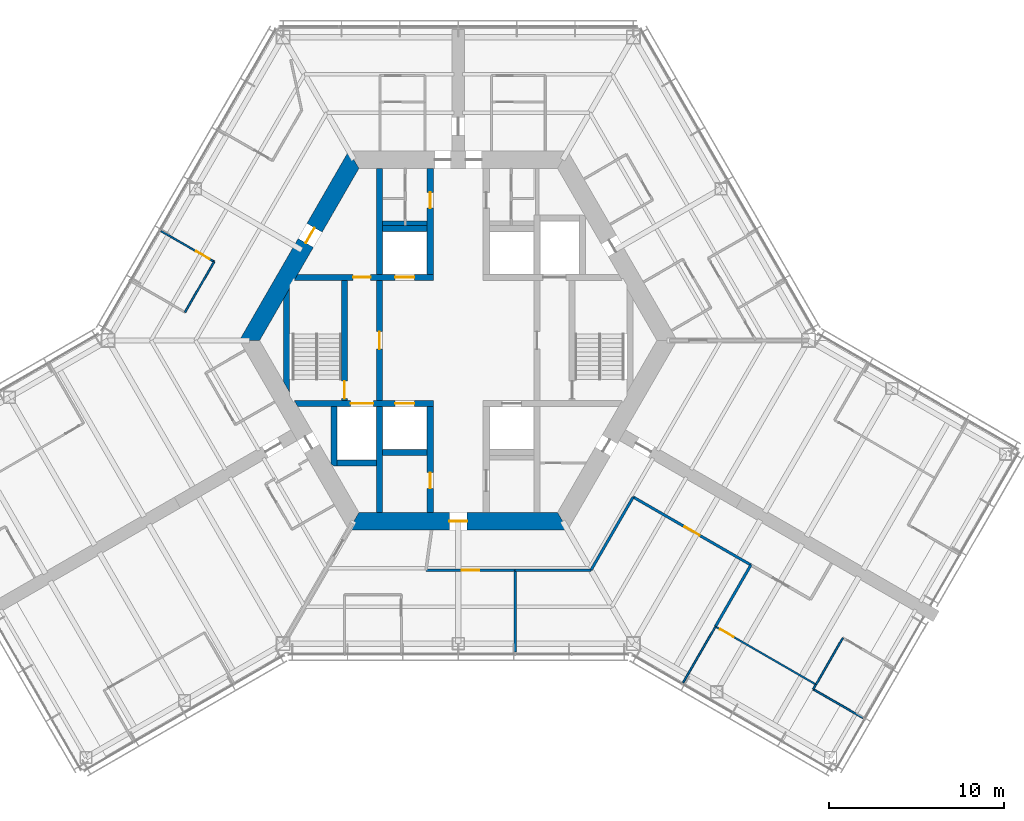
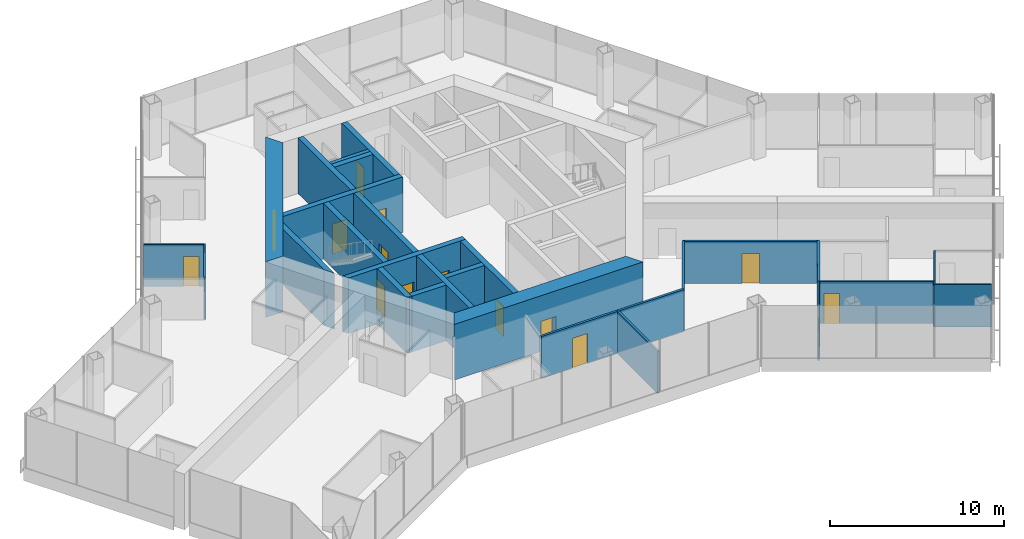
# One storey, part 12 of 18: 29 walls, 14 doors, 14 openings.
"""IFC4 building model written with IfcOpenShell, lengths in metres."""

from ifc_helpers import new_model, si_unit, direction, frame, frame_2d, origin, place, context, subcontext, project, spatial, polyline, rectangle, outline, extrude, material, layer, layer_set, type_object, element, fill, save


model = new_model("IFC4")

# Units and contexts
model_context = context("Model", 3, precision=1e-05, world=origin(), true_north=direction((0.0, 1.0)))
body_context = subcontext(model_context, "Body", "Model", "MODEL_VIEW")
ifc_project = project(units=[si_unit("LENGTHUNIT", "METRE"), si_unit("AREAUNIT", "SQUARE_METRE"), si_unit("VOLUMEUNIT", "CUBIC_METRE"), si_unit("PLANEANGLEUNIT", "RADIAN"), si_unit("MASSUNIT", "GRAM", prefix="KILO")], contexts=[model_context])

# Site, building, storey
site_placement = place(None, origin())
site = spatial("IfcSite", under=ifc_project, at=site_placement, CompositionType="ELEMENT")
building_placement = place(site_placement, origin())
building = spatial("IfcBuilding", under=site, at=building_placement, Name="Kasaneha Research Tower", CompositionType="ELEMENT")
storey_placement = place(building_placement, frame((0.0, 0.0, 172.10009765625)))
storey = spatial("IfcBuildingStorey", under=building, at=storey_placement, Name="L43", CompositionType="ELEMENT", Elevation=172.10009765625)

# Wall, openings, doors
ifc_material_1 = material(Name="Concrete Fc70", Category="concrete")
ifc_layer_1 = layer(ifc_material_1, 0.35009765625)
ifc_layer_set_1 = layer_set([ifc_layer_1], Name="Core internal wall 350 Fc70")
wall_type_1 = type_object("IfcWallType", Name="Core internal wall 350 Fc70", PredefinedType="SHEAR", material=ifc_layer_set_1)
wall_1_placement = place(storey_placement, frame((-9.266357421875, 3.60009765625, 0.0), z_axis=(0.0, 0.0, 1.0), x_axis=(1.0, 0.0, 0.0)))
wall_1 = element("IfcWall", 1, at=wall_1_placement, inside=storey, type_object=wall_type_1, Name="Core wall W1W L43", PredefinedType="SHEAR", context=body_context, shape_type="SweptSolid", body=[
    extrude(outline(polyline([(-0.10107421875, -0.175048828125), (3.266357421875, -0.175048828125), (4.266357421875, -0.175048828125), (5.66650390625, -0.175048828125), (6.7666015625, -0.175048828125), (7.84130859375, -0.175048828125), (7.84130859375, 0.175048828125), (6.7666015625, 0.175048828125), (5.66650390625, 0.175048828125), (4.266357421875, 0.175048828125), (3.266357421875, 0.175048828125), (0.10107421875, 0.175048828125), (-0.10107421875, -0.175048828125)])), origin(), (0.0, 0.0, 1.0), 3.89990234375),
])
opening_1_placement = place(wall_1_placement, frame((3.266357421875, 0.0, 0.0)))
opening_1 = element("IfcOpeningElement", 2, at=opening_1_placement, cuts=wall_1, Name="Opening L43-D12", PredefinedType="OPENING", context=body_context, shape_type="SweptSolid", body=[
    extrude(rectangle(XDim=1.0, YDim=2.10009765625, at=frame_2d((0.5, 1.050048828125))), frame((0.0, 0.18505859375, 0.0), z_axis=(0.0, -1.0, 0.0), x_axis=(1.0, 0.0, 0.0)), (0.0, 0.0, 1.0), 0.3701171875),
])
opening_2_placement = place(wall_1_placement, frame((5.66650390625, 0.0, 0.0)))
opening_2 = element("IfcOpeningElement", 3, at=opening_2_placement, cuts=wall_1, Name="Opening LD-LM1-L43", PredefinedType="OPENING", context=body_context, shape_type="SweptSolid", body=[
    extrude(rectangle(XDim=1.10009765625, YDim=2.10009765625, at=frame_2d((0.550048828125, 1.050048828125))), frame((0.0, 0.18505859375, 0.0), z_axis=(0.0, -1.0, 0.0), x_axis=(1.0, 0.0, 0.0)), (0.0, 0.0, 1.0), 0.3701171875),
])
ifc_material_2 = material(Name="Steel", Category="steel")
door_type_1 = type_object("IfcDoorType", Name="Lift landing door 1100x2100", OperationType="DOUBLE_DOOR_SLIDING", PredefinedType="DOOR", material=ifc_material_2)
door_1_placement = place(opening_2_placement, origin())
door_1 = element("IfcDoor", 4, at=door_1_placement, inside=storey, type_object=door_type_1, Name="Landing door LM1 LD-LM1-L43", OperationType="DOUBLE_DOOR_SLIDING", OverallHeight=2.10009765625, OverallWidth=1.10009765625, PredefinedType="DOOR", context=body_context, shape_type="SweptSolid", body=[
    extrude(rectangle(XDim=1.10009765625, YDim=2.10009765625, at=frame_2d((0.550048828125, 1.050048828125))), frame((0.0, 0.02490234375, 0.0), z_axis=(0.0, -1.0, 0.0), x_axis=(1.0, 0.0, 0.0)), (0.0, 0.0, 1.0), 0.050048828125),
])
fill(opening_2, door_1)
ifc_material_3 = material(Name="Steel", Category="steel")
door_type_2 = type_object("IfcDoorType", Name="Specified fire door FD60 1000x2100", OperationType="NOTDEFINED", PredefinedType="DOOR", material=ifc_material_3)
door_2_placement = place(opening_1_placement, origin())
door_2 = element("IfcDoor", 5, at=door_2_placement, inside=storey, type_object=door_type_2, Name="Vestibule to lobby door L43-D12", OperationType="SINGLE_SWING_LEFT", OverallHeight=2.10009765625, OverallWidth=1.0, PredefinedType="DOOR", context=body_context, shape_type="SweptSolid", body=[
    extrude(rectangle(XDim=1.0, YDim=2.10009765625, at=frame_2d((0.5, 1.050048828125))), frame((0.0, 0.02490234375, 0.0), z_axis=(0.0, -1.0, 0.0), x_axis=(1.0, 0.0, 0.0)), (0.0, 0.0, 1.0), 0.050048828125),
])
fill(opening_1, door_2)

wall_2_placement = place(storey_placement, frame((-9.266357421875, -3.60009765625, 0.0), z_axis=(0.0, 0.0, 1.0), x_axis=(1.0, 0.0, 0.0)))
wall_2 = element("IfcWall", 6, at=wall_2_placement, inside=storey, type_object=wall_type_1, Name="Core wall W2W L43", PredefinedType="SHEAR", context=body_context, shape_type="SweptSolid", body=[
    extrude(outline(polyline([(0.10107421875, -0.175048828125), (3.116455078125, -0.175048828125), (4.41650390625, -0.175048828125), (5.66650390625, -0.175048828125), (6.7666015625, -0.175048828125), (7.84130859375, -0.175048828125), (7.84130859375, 0.175048828125), (6.7666015625, 0.175048828125), (5.66650390625, 0.175048828125), (4.41650390625, 0.175048828125), (3.116455078125, 0.175048828125), (-0.10107421875, 0.175048828125), (0.10107421875, -0.175048828125)])), origin(), (0.0, 0.0, 1.0), 3.89990234375),
])
opening_3_placement = place(wall_2_placement, frame((5.66650390625, 0.0, 0.0)))
opening_3 = element("IfcOpeningElement", 7, at=opening_3_placement, cuts=wall_2, Name="Opening LD-LM3-L43", PredefinedType="OPENING", context=body_context, shape_type="SweptSolid", body=[
    extrude(rectangle(XDim=1.10009765625, YDim=2.10009765625, at=frame_2d((0.550048828125, 1.050048828125))), frame((0.0, 0.18505859375, 0.0), z_axis=(0.0, -1.0, 0.0), x_axis=(1.0, 0.0, 0.0)), (0.0, 0.0, 1.0), 0.3701171875),
])
opening_4_placement = place(wall_2_placement, frame((3.116455078125, 0.0, 0.0)))
opening_4 = element("IfcOpeningElement", 8, at=opening_4_placement, cuts=wall_2, Name="Opening LD-FL2-L43", PredefinedType="OPENING", context=body_context, shape_type="SweptSolid", body=[
    extrude(rectangle(XDim=1.300048828125, YDim=2.10009765625, at=frame_2d((0.64990234375, 1.050048828125))), frame((0.0, 0.18505859375, 0.0), z_axis=(0.0, -1.0, 0.0), x_axis=(1.0, 0.0, 0.0)), (0.0, 0.0, 1.0), 0.3701171875),
])
door_3_placement = place(opening_3_placement, origin())
door_3 = element("IfcDoor", 9, at=door_3_placement, inside=storey, type_object=door_type_1, Name="Landing door LM3 LD-LM3-L43", OperationType="DOUBLE_DOOR_SLIDING", OverallHeight=2.10009765625, OverallWidth=1.10009765625, PredefinedType="DOOR", context=body_context, shape_type="SweptSolid", body=[
    extrude(rectangle(XDim=1.10009765625, YDim=2.10009765625, at=frame_2d((0.550048828125, 1.050048828125))), frame((0.0, 0.02490234375, 0.0), z_axis=(0.0, -1.0, 0.0), x_axis=(1.0, 0.0, 0.0)), (0.0, 0.0, 1.0), 0.050048828125),
])
fill(opening_3, door_3)
ifc_material_4 = material(Name="Steel", Category="steel")
door_type_3 = type_object("IfcDoorType", Name="Lift landing door 1300x2100", OperationType="DOUBLE_DOOR_SLIDING", PredefinedType="DOOR", material=ifc_material_4)
door_4_placement = place(opening_4_placement, origin())
door_4 = element("IfcDoor", 10, at=door_4_placement, inside=storey, type_object=door_type_3, Name="Landing door FL2 LD-FL2-L43", OperationType="DOUBLE_DOOR_SLIDING", OverallHeight=2.10009765625, OverallWidth=1.300048828125, PredefinedType="DOOR", context=body_context, shape_type="SweptSolid", body=[
    extrude(rectangle(XDim=1.300048828125, YDim=2.10009765625, at=frame_2d((0.64990234375, 1.050048828125))), frame((0.0, 0.02490234375, 0.0), z_axis=(0.0, -1.0, 0.0), x_axis=(1.0, 0.0, 0.0)), (0.0, 0.0, 1.0), 0.050048828125),
])
fill(opening_4, door_4)

# Wall, opening, door
wall_3_placement = place(storey_placement, frame((-1.60009765625, 3.77490234375, 0.0), z_axis=(0.0, 0.0, 1.0), x_axis=(0.0, 1.0, 0.0)))
wall_3 = element("IfcWall", 11, at=wall_3_placement, inside=storey, type_object=wall_type_1, Name="Core wall CNW L43", PredefinedType="SHEAR", context=body_context, shape_type="SweptSolid", body=[
    extrude(rectangle(XDim=6.050048828125, YDim=0.35009765625, at=frame_2d((3.02490234375, 0.0))), origin(), (0.0, 0.0, 1.0), 3.89990234375),
])
opening_5_placement = place(wall_3_placement, frame((3.77490234375, 0.0, 0.0)))
opening_5 = element("IfcOpeningElement", 12, at=opening_5_placement, cuts=wall_3, Name="Opening L43-D13", PredefinedType="OPENING", context=body_context, shape_type="SweptSolid", body=[
    extrude(rectangle(XDim=0.89990234375, YDim=2.10009765625, at=frame_2d((0.449951171875, 1.050048828125))), frame((0.0, 0.18505859375, 0.0), z_axis=(0.0, -1.0, 0.0), x_axis=(1.0, 0.0, 0.0)), (0.0, 0.0, 1.0), 0.3701171875),
])
ifc_material_5 = material(Name="Steel", Category="steel")
door_type_4 = type_object("IfcDoorType", Name="Toilet door FD20 900x2100", OperationType="NOTDEFINED", PredefinedType="DOOR", material=ifc_material_5)
door_5_placement = place(opening_5_placement, origin())
door_5 = element("IfcDoor", 13, at=door_5_placement, inside=storey, type_object=door_type_4, Name="Men's WC door L43-D13", OperationType="SINGLE_SWING_LEFT", OverallHeight=2.10009765625, OverallWidth=0.89990234375, PredefinedType="DOOR", context=body_context, shape_type="SweptSolid", body=[
    extrude(rectangle(XDim=0.89990234375, YDim=2.10009765625, at=frame_2d((0.449951171875, 1.050048828125))), frame((0.0, 0.02490234375, 0.0), z_axis=(0.0, -1.0, 0.0), x_axis=(1.0, 0.0, 0.0)), (0.0, 0.0, 1.0), 0.050048828125),
])
fill(opening_5, door_5)

wall_4_placement = place(storey_placement, frame((-1.60009765625, -3.77490234375, 0.0), z_axis=(0.0, 0.0, 1.0), x_axis=(0.0, -1.0, 0.0)))
wall_4 = element("IfcWall", 14, at=wall_4_placement, inside=storey, type_object=wall_type_1, Name="Core wall CSW L43", PredefinedType="SHEAR", context=body_context, shape_type="SweptSolid", body=[
    extrude(rectangle(XDim=6.050048828125, YDim=0.35009765625, at=frame_2d((3.02490234375, 0.0))), origin(), (0.0, 0.0, 1.0), 3.89990234375),
])
opening_6_placement = place(wall_4_placement, frame((3.77490234375, 0.0, 0.0)))
opening_6 = element("IfcOpeningElement", 15, at=opening_6_placement, cuts=wall_4, Name="Opening L43-D16", PredefinedType="OPENING", context=body_context, shape_type="SweptSolid", body=[
    extrude(rectangle(XDim=0.89990234375, YDim=2.10009765625, at=frame_2d((0.449951171875, 1.050048828125))), frame((0.0, 0.18505859375, 0.0), z_axis=(0.0, -1.0, 0.0), x_axis=(1.0, 0.0, 0.0)), (0.0, 0.0, 1.0), 0.3701171875),
])
ifc_material_6 = material(Name="Steel", Category="steel")
door_type_5 = type_object("IfcDoorType", Name="Riser access door FD60 900x2100", OperationType="NOTDEFINED", PredefinedType="DOOR", material=ifc_material_6)
door_6_placement = place(opening_6_placement, origin())
door_6 = element("IfcDoor", 16, at=door_6_placement, inside=storey, type_object=door_type_5, Name="Electrical riser door L43-D16", OperationType="SINGLE_SWING_LEFT", OverallHeight=2.10009765625, OverallWidth=0.89990234375, PredefinedType="DOOR", context=body_context, shape_type="SweptSolid", body=[
    extrude(rectangle(XDim=0.89990234375, YDim=2.10009765625, at=frame_2d((0.449951171875, 1.050048828125))), frame((0.0, 0.02490234375, 0.0), z_axis=(0.0, -1.0, 0.0), x_axis=(1.0, 0.0, 0.0)), (0.0, 0.0, 1.0), 0.050048828125),
])
fill(opening_6, door_6)

wall_5_placement = place(storey_placement, frame((-4.5, -3.425048828125, 0.0), z_axis=(0.0, 0.0, 1.0), x_axis=(0.0, 1.0, 0.0)))
wall_5 = element("IfcWall", 17, at=wall_5_placement, inside=storey, type_object=wall_type_1, Name="Core wall LBW L43", PredefinedType="SHEAR", context=body_context, shape_type="SweptSolid", body=[
    extrude(rectangle(XDim=6.85009765625, YDim=0.35009765625, at=frame_2d((3.425048828125, 0.0))), origin(), (0.0, 0.0, 1.0), 3.89990234375),
])
opening_7_placement = place(wall_5_placement, frame((2.925048828125, 0.0, 0.0)))
opening_7 = element("IfcOpeningElement", 18, at=opening_7_placement, cuts=wall_5, Name="Opening L43-D09", PredefinedType="OPENING", context=body_context, shape_type="SweptSolid", body=[
    extrude(rectangle(XDim=1.0, YDim=2.10009765625, at=frame_2d((0.5, 1.050048828125))), frame((0.0, 0.18505859375, 0.0), z_axis=(0.0, -1.0, 0.0), x_axis=(1.0, 0.0, 0.0)), (0.0, 0.0, 1.0), 0.3701171875),
])
door_7_placement = place(opening_7_placement, origin())
door_7 = element("IfcDoor", 19, at=door_7_placement, inside=storey, type_object=door_type_2, Name="Lift lobby door west L43-D09", OperationType="SINGLE_SWING_LEFT", OverallHeight=2.10009765625, OverallWidth=1.0, PredefinedType="DOOR", context=body_context, shape_type="SweptSolid", body=[
    extrude(rectangle(XDim=1.0, YDim=2.10009765625, at=frame_2d((0.5, 1.050048828125))), frame((0.0, 0.02490234375, 0.0), z_axis=(0.0, -1.0, 0.0), x_axis=(1.0, 0.0, 0.0)), (0.0, 0.0, 1.0), 0.050048828125),
])
fill(opening_7, door_7)

wall_6_placement = place(storey_placement, frame((-6.5, -3.425048828125, 0.0), z_axis=(0.0, 0.0, 1.0), x_axis=(0.0, 1.0, 0.0)))
wall_6 = element("IfcWall", 20, at=wall_6_placement, inside=storey, type_object=wall_type_1, Name="Core wall ANW L43", PredefinedType="SHEAR", context=body_context, shape_type="SweptSolid", body=[
    extrude(rectangle(XDim=6.85009765625, YDim=0.35009765625, at=frame_2d((3.425048828125, 0.0))), origin(), (0.0, 0.0, 1.0), 3.89990234375),
])
opening_8_placement = place(wall_6_placement, frame((0.10009765625, 0.0, 0.0)))
opening_8 = element("IfcOpeningElement", 21, at=opening_8_placement, cuts=wall_6, Name="Opening L43-D11", PredefinedType="OPENING", context=body_context, shape_type="SweptSolid", body=[
    extrude(rectangle(XDim=1.0, YDim=2.10009765625, at=frame_2d((0.5, 1.050048828125))), frame((0.0, 0.18505859375, 0.0), z_axis=(0.0, -1.0, 0.0), x_axis=(1.0, 0.0, 0.0)), (0.0, 0.0, 1.0), 0.3701171875),
])
door_8_placement = place(opening_8_placement, origin())
door_8 = element("IfcDoor", 22, at=door_8_placement, inside=storey, type_object=door_type_2, Name="Stair 2 door L43-D11", OperationType="SINGLE_SWING_LEFT", OverallHeight=2.10009765625, OverallWidth=1.0, PredefinedType="DOOR", context=body_context, shape_type="SweptSolid", body=[
    extrude(rectangle(XDim=1.0, YDim=2.10009765625, at=frame_2d((0.5, 1.050048828125))), frame((0.0, 0.02490234375, 0.0), z_axis=(0.0, -1.0, 0.0), x_axis=(1.0, 0.0, 0.0)), (0.0, 0.0, 1.0), 0.050048828125),
])
fill(opening_8, door_8)

# Walls
for number, where, z_axis, x_axis, name in (
    (23, (-4.5, 3.77490234375, 0.0), (0.0, 0.0, 1.0), (0.0, 1.0, 0.0), "Core wall VNW L43"),
    (24, (-4.5, -3.77490234375, 0.0), (0.0, 0.0, 1.0), (0.0, -1.0, 0.0), "Core wall SSW L43"),
):
    element("IfcWall", number, at=place(storey_placement, frame(where, z_axis=z_axis, x_axis=x_axis)), inside=storey, type_object=wall_type_1, Name=name, PredefinedType="SHEAR", context=body_context, shape_type="SweptSolid", body=[
        extrude(rectangle(XDim=6.050048828125, YDim=0.35009765625, at=frame_2d((3.02490234375, 0.0))), origin(), (0.0, 0.0, 1.0), 3.89990234375),
    ])
for number, where, z_axis, x_axis, name in (
    (25, (-4.324951171875, 6.39990234375, 0.0), (0.0, 0.0, 1.0), (1.0, 0.0, 0.0), "Core wall N1N L43"),
    (26, (-4.324951171875, -6.39990234375, 0.0), (0.0, 0.0, 1.0), (1.0, 0.0, 0.0), "Core wall S1S L43"),
):
    element("IfcWall", number, at=place(storey_placement, frame(where, z_axis=z_axis, x_axis=x_axis)), inside=storey, type_object=wall_type_1, Name=name, PredefinedType="SHEAR", context=body_context, shape_type="SweptSolid", body=[
        extrude(rectangle(XDim=2.550048828125, YDim=0.35009765625, at=frame_2d((1.27490234375, 0.0))), origin(), (0.0, 0.0, 1.0), 3.89990234375),
    ])
wall_7_placement = place(storey_placement, frame((-6.925048828125, -7.0, 0.0), z_axis=(0.0, 0.0, 1.0), x_axis=(1.0, 0.0, 0.0)))
element("IfcWall", 27, at=wall_7_placement, inside=storey, type_object=wall_type_1, Name="Core wall F2S L43", PredefinedType="SHEAR", context=body_context, shape_type="SweptSolid", body=[
    extrude(rectangle(XDim=2.25, YDim=0.35009765625, at=frame_2d((1.125, 0.0))), origin(), (0.0, 0.0, 1.0), 3.89990234375),
])
wall_8_placement = place(storey_placement, frame((-7.10009765625, -3.77490234375, 0.0), z_axis=(0.0, 0.0, 1.0), x_axis=(0.0, -1.0, 0.0)))
element("IfcWall", 28, at=wall_8_placement, inside=storey, type_object=wall_type_1, Name="Core wall F2W L43", PredefinedType="SHEAR", context=body_context, shape_type="SweptSolid", body=[
    extrude(outline(polyline([(0.0, -0.175048828125), (3.2744140625, -0.175048828125), (3.400146484375, 0.0), (3.400146484375, 0.175048828125), (0.0, 0.175048828125), (0.0, -0.175048828125)])), origin(), (0.0, 0.0, 1.0), 3.89990234375),
])
wall_9_placement = place(storey_placement, frame((-9.807861328125, -2.662353515625, 0.0), z_axis=(0.0, 0.0, 1.0), x_axis=(0.0, 1.0, 0.0)))
element("IfcWall", 29, at=wall_9_placement, inside=storey, type_object=wall_type_1, Name="Core wall STW L43", PredefinedType="SHEAR", context=body_context, shape_type="SweptSolid", body=[
    extrude(outline(polyline([(-0.30322265625, -0.175048828125), (5.6279296875, -0.175048828125), (5.021484375, 0.175048828125), (0.30322265625, 0.175048828125), (-0.30322265625, -0.175048828125)])), origin(), (0.0, 0.0, 1.0), 3.89990234375),
])

# Wall, opening, door
ifc_material_7 = material(Name="Concrete Fc70", Category="concrete")
ifc_layer_2 = layer(ifc_material_7, 1.0)
ifc_layer_set_2 = layer_set([ifc_layer_2], Name="Core wall 1000 Fc70")
wall_type_2 = type_object("IfcWallType", Name="Core wall 1000 Fc70", PredefinedType="SHEAR", material=ifc_layer_set_2)
wall_10_placement = place(storey_placement, frame((-5.961181640625, 10.324951171875, 0.0), z_axis=(0.0, 0.0, 1.0), x_axis=(-0.500004296715, -0.866022923061, 0.0)))
wall_10 = element("IfcWall", 30, at=wall_10_placement, inside=storey, type_object=wall_type_2, Name="Core wall 150 L43", PredefinedType="SHEAR", context=body_context, shape_type="SweptSolid", body=[
    extrude(outline(polyline([(-0.28857421875, -0.5), (4.494140625, -0.5), (5.494140625, -0.5), (12.2109375, -0.5), (11.6337890625, 0.5), (5.494140625, 0.5), (4.494140625, 0.5), (0.28857421875, 0.5), (-0.28857421875, -0.5)])), origin(), (0.0, 0.0, 1.0), 3.89990234375),
])
opening_9_placement = place(wall_10_placement, frame((4.494140625, 0.0, 0.0)))
opening_9 = element("IfcOpeningElement", 31, at=opening_9_placement, cuts=wall_10, Name="Opening L43-D07", PredefinedType="OPENING", context=body_context, shape_type="SweptSolid", body=[
    extrude(rectangle(XDim=1.0, YDim=2.10009765625, at=frame_2d((0.5, 1.050048828125))), frame((0.0, 0.510009765625, 0.0), z_axis=(0.0, -1.0, 0.0), x_axis=(1.0, 0.0, 0.0)), (0.0, 0.0, 1.0), 1.02001953125),
])
ifc_material_8 = material(Name="Steel", Category="steel")
door_type_6 = type_object("IfcDoorType", Name="Fire door FD20 1000x2100", OperationType="NOTDEFINED", PredefinedType="DOOR", material=ifc_material_8)
door_9_placement = place(opening_9_placement, origin())
door_9 = element("IfcDoor", 32, at=door_9_placement, inside=storey, type_object=door_type_6, Name="Vestibule door L43-D07", OperationType="SINGLE_SWING_LEFT", OverallHeight=2.10009765625, OverallWidth=1.0, PredefinedType="DOOR", context=body_context, shape_type="SweptSolid", body=[
    extrude(rectangle(XDim=1.0, YDim=2.10009765625, at=frame_2d((0.5, 1.050048828125))), frame((0.0, 0.02490234375, 0.0), z_axis=(0.0, -1.0, 0.0), x_axis=(1.0, 0.0, 0.0)), (0.0, 0.0, 1.0), 0.050048828125),
])
fill(opening_9, door_9)

wall_11_placement = place(storey_placement, frame((-5.961181640625, -10.324951171875, 0.0), z_axis=(0.0, 0.0, 1.0), x_axis=(1.0, 0.0, 0.0)))
wall_11 = element("IfcWall", 33, at=wall_11_placement, inside=storey, type_object=wall_type_2, Name="Core wall 270 L43", PredefinedType="SHEAR", context=body_context, shape_type="SweptSolid", body=[
    extrude(outline(polyline([(-0.28857421875, -0.5), (5.461181640625, -0.5), (6.461181640625, -0.5), (12.2109375, -0.5), (11.6337890625, 0.5), (6.461181640625, 0.5), (5.461181640625, 0.5), (0.28857421875, 0.5), (-0.28857421875, -0.5)])), origin(), (0.0, 0.0, 1.0), 3.89990234375),
])
opening_10_placement = place(wall_11_placement, frame((5.461181640625, 0.0, 0.0)))
opening_10 = element("IfcOpeningElement", 34, at=opening_10_placement, cuts=wall_11, Name="Opening L43-D03", PredefinedType="OPENING", context=body_context, shape_type="SweptSolid", body=[
    extrude(rectangle(XDim=1.0, YDim=2.10009765625, at=frame_2d((0.5, 1.050048828125))), frame((0.0, 0.510009765625, 0.0), z_axis=(0.0, -1.0, 0.0), x_axis=(1.0, 0.0, 0.0)), (0.0, 0.0, 1.0), 1.02001953125),
])
door_10_placement = place(opening_10_placement, origin())
door_10 = element("IfcDoor", 35, at=door_10_placement, inside=storey, type_object=door_type_6, Name="Core door south L43-D03", OperationType="SINGLE_SWING_LEFT", OverallHeight=2.10009765625, OverallWidth=1.0, PredefinedType="DOOR", context=body_context, shape_type="SweptSolid", body=[
    extrude(rectangle(XDim=1.0, YDim=2.10009765625, at=frame_2d((0.5, 1.050048828125))), frame((0.0, 0.02490234375, 0.0), z_axis=(0.0, -1.0, 0.0), x_axis=(1.0, 0.0, 0.0)), (0.0, 0.0, 1.0), 0.050048828125),
])
fill(opening_10, door_10)

ifc_material_9 = material(Name="Gypsum board on steel studs, one layer each side", Category="steel")
ifc_layer_3 = layer(ifc_material_9, 0.10009765625)
ifc_layer_set_3 = layer_set([ifc_layer_3], Name="Office partition 100")
wall_type_3 = type_object("IfcWallType", Name="Office partition 100", PredefinedType="PARTITIONING", material=ifc_layer_set_3)
wall_12_placement = place(storey_placement, frame((-16.97607421875, 6.247802734375, 0.0), z_axis=(0.0, 0.0, 1.0), x_axis=(0.866001150353, -0.500042005822, 0.0)))
wall_12 = element("IfcWall", 36, at=wall_12_placement, inside=storey, type_object=wall_type_3, Name="Office partition FBN04 L43", PredefinedType="PARTITIONING", context=body_context, shape_type="SweptSolid", body=[
    extrude(rectangle(XDim=3.505126953125, YDim=0.10009765625, at=frame_2d((1.75244140625, 0.0))), origin(), (0.0, 0.0, 1.0), 2.949951171875),
])
opening_11_placement = place(wall_12_placement, frame((2.30517578125, 0.0, 0.0)))
opening_11 = element("IfcOpeningElement", 37, at=opening_11_placement, cuts=wall_12, Name="Opening L43-D36", PredefinedType="OPENING", context=body_context, shape_type="SweptSolid", body=[
    extrude(rectangle(XDim=0.89990234375, YDim=2.10009765625, at=frame_2d((0.449951171875, 1.050048828125))), frame((0.0, 0.06005859375, 0.0), z_axis=(0.0, -1.0, 0.0), x_axis=(1.0, 0.0, 0.0)), (0.0, 0.0, 1.0), 0.1201171875),
])
ifc_material_10 = material(Name="Timber veneer", Category="wood")
door_type_7 = type_object("IfcDoorType", Name="Office door 900x2100", OperationType="SINGLE_SWING_LEFT", PredefinedType="DOOR", material=ifc_material_10)
door_11_placement = place(opening_11_placement, origin())
door_11 = element("IfcDoor", 38, at=door_11_placement, inside=storey, type_object=door_type_7, Name="Manager's office door L43-D36", OperationType="SINGLE_SWING_RIGHT", OverallHeight=2.10009765625, OverallWidth=0.89990234375, PredefinedType="DOOR", context=body_context, shape_type="SweptSolid", body=[
    extrude(rectangle(XDim=0.89990234375, YDim=2.10009765625, at=frame_2d((0.449951171875, 1.050048828125))), frame((0.0, 0.02490234375, 0.0), z_axis=(0.0, -1.0, 0.0), x_axis=(1.0, 0.0, 0.0)), (0.0, 0.0, 1.0), 0.050048828125),
])
fill(opening_11, door_11)

# Walls
wall_13_placement = place(storey_placement, frame((-13.940673828125, 4.4951171875, 0.0), z_axis=(0.0, 0.0, 1.0), x_axis=(-0.500033344505, -0.86600615147, 0.0)))
element("IfcWall", 39, at=wall_13_placement, inside=storey, type_object=wall_type_3, Name="Office partition FBN06 L43", PredefinedType="PARTITIONING", context=body_context, shape_type="SweptSolid", body=[
    extrude(rectangle(XDim=3.330810546875, YDim=0.10009765625, at=frame_2d((1.66552734375, 0.0))), origin(), (0.0, 0.0, 1.0), 2.949951171875),
])
wall_14_placement = place(storey_placement, frame((20.275146484375, -19.923583984375, 0.0), z_axis=(0.0, 0.0, 1.0), x_axis=(0.86598972202, -0.500061797536, 0.0)))
element("IfcWall", 40, at=wall_14_placement, inside=storey, type_object=wall_type_3, Name="Office partition FCS08 L43", PredefinedType="PARTITIONING", context=body_context, shape_type="SweptSolid", body=[
    extrude(rectangle(XDim=3.27978515625, YDim=0.10009765625, at=frame_2d((1.639892578125, 0.0))), origin(), (0.0, 0.0, 1.0), 2.949951171875),
])
wall_15_placement = place(storey_placement, frame((20.4296875, -19.64599609375, 0.0), z_axis=(0.0, 0.0, 1.0), x_axis=(-0.486425680342, -0.873721956634, 0.0)))
element("IfcWall", 41, at=wall_15_placement, inside=storey, type_object=wall_type_3, Name="Office partition FCS09 L43", PredefinedType="PARTITIONING", context=body_context, shape_type="SweptSolid", body=[
    extrude(rectangle(XDim=0.317626953125, YDim=0.10009765625, at=frame_2d((0.15869140625, 0.0))), origin(), (0.0, 0.0, 1.0), 2.949951171875),
])
wall_16_placement = place(storey_placement, frame((12.839599609375, -19.543212890625, 0.0), z_axis=(0.0, 0.0, 1.0), x_axis=(0.50111938689, 0.865378160161, 0.0)))
element("IfcWall", 42, at=wall_16_placement, inside=storey, type_object=wall_type_3, Name="Office partition FCS10 L43", PredefinedType="PARTITIONING", context=body_context, shape_type="SweptSolid", body=[
    extrude(rectangle(XDim=3.705078125, YDim=0.10009765625, at=frame_2d((1.8525390625, 0.0))), origin(), (0.0, 0.0, 1.0), 2.949951171875),
])

# Wall, opening, door
wall_17_placement = place(storey_placement, frame((14.68994140625, -16.33837890625, 0.0), z_axis=(0.0, 0.0, 1.0), x_axis=(0.866056800938, -0.499945614591, 0.0)))
wall_17 = element("IfcWall", 43, at=wall_17_placement, inside=storey, type_object=wall_type_3, Name="Office partition FCS11 L43", PredefinedType="PARTITIONING", context=body_context, shape_type="SweptSolid", body=[
    extrude(rectangle(XDim=6.629150390625, YDim=0.10009765625, at=frame_2d((3.314453125, 0.0))), origin(), (0.0, 0.0, 1.0), 2.949951171875),
])
opening_12_placement = place(wall_17_placement, frame((0.300048828125, 0.0, 0.0)))
opening_12 = element("IfcOpeningElement", 44, at=opening_12_placement, cuts=wall_17, Name="Opening L43-D47", PredefinedType="OPENING", context=body_context, shape_type="SweptSolid", body=[
    extrude(rectangle(XDim=0.89990234375, YDim=2.10009765625, at=frame_2d((0.449951171875, 1.050048828125))), frame((0.0, 0.06005859375, 0.0), z_axis=(0.0, -1.0, 0.0), x_axis=(1.0, 0.0, 0.0)), (0.0, 0.0, 1.0), 0.1201171875),
])
door_12_placement = place(opening_12_placement, origin())
door_12 = element("IfcDoor", 45, at=door_12_placement, inside=storey, type_object=door_type_7, Name="Meeting room door L43-D47", OperationType="SINGLE_SWING_LEFT", OverallHeight=2.10009765625, OverallWidth=0.89990234375, PredefinedType="DOOR", context=body_context, shape_type="SweptSolid", body=[
    extrude(rectangle(XDim=0.89990234375, YDim=2.10009765625, at=frame_2d((0.449951171875, 1.050048828125))), frame((0.0, 0.02490234375, 0.0), z_axis=(0.0, -1.0, 0.0), x_axis=(1.0, 0.0, 0.0)), (0.0, 0.0, 1.0), 0.050048828125),
])
fill(opening_12, door_12)

# Walls
wall_18_placement = place(storey_placement, frame((20.431396484375, -19.652587890625, 0.0), z_axis=(0.0, 0.0, 1.0), x_axis=(0.500029867204, 0.86600815926, 0.0)))
element("IfcWall", 46, at=wall_18_placement, inside=storey, type_object=wall_type_3, Name="Office partition FCS15 L43", PredefinedType="PARTITIONING", context=body_context, shape_type="SweptSolid", body=[
    extrude(rectangle(XDim=3.070556640625, YDim=0.10009765625, at=frame_2d((1.53515625, 0.0))), origin(), (0.0, 0.0, 1.0), 2.949951171875),
])
ifc_material_11 = material(Name="Gypsum board on steel studs, two layers each side", Category="steel")
ifc_layer_4 = layer(ifc_material_11, 0.14990234375)
ifc_layer_set_4 = layer_set([ifc_layer_4], Name="Suite partition 150")
wall_type_4 = type_object("IfcWallType", Name="Suite partition 150", PredefinedType="PARTITIONING", material=ifc_layer_set_4)
wall_19_placement = place(storey_placement, frame((7.57763671875, -13.125, 0.0), z_axis=(0.0, 0.0, 1.0), x_axis=(-1.0, 0.0, 0.0)))
element("IfcWall", 47, at=wall_19_placement, inside=storey, type_object=wall_type_4, Name="Suite partition FCS01 L43", PredefinedType="PARTITIONING", context=body_context, shape_type="SweptSolid", body=[
    extrude(rectangle(XDim=4.336181640625, YDim=0.14990234375, at=frame_2d((2.16796875, 0.0))), origin(), (0.0, 0.0, 1.0), 2.949951171875),
])
wall_20_placement = place(storey_placement, frame((9.99169921875, -8.944091796875, 0.0), z_axis=(0.0, 0.0, 1.0), x_axis=(-0.500033248206, -0.866006207073, 0.0)))
element("IfcWall", 48, at=wall_20_placement, inside=storey, type_object=wall_type_4, Name="Suite partition FCS02 L43", PredefinedType="PARTITIONING", context=body_context, shape_type="SweptSolid", body=[
    extrude(rectangle(XDim=4.827880859375, YDim=0.14990234375, at=frame_2d((2.4140625, 0.0))), origin(), (0.0, 0.0, 1.0), 2.949951171875),
])

# Wall, opening, door
wall_21_placement = place(storey_placement, frame((16.721435546875, -12.82958984375, 0.0), z_axis=(0.0, 0.0, 1.0), x_axis=(-0.866020780657, 0.500008007406, 0.0)))
wall_21 = element("IfcWall", 49, at=wall_21_placement, inside=storey, type_object=wall_type_4, Name="Suite partition FCS03 L43", PredefinedType="PARTITIONING", context=body_context, shape_type="SweptSolid", body=[
    extrude(rectangle(XDim=7.770751953125, YDim=0.14990234375, at=frame_2d((3.88525390625, 0.0))), origin(), (0.0, 0.0, 1.0), 2.949951171875),
])
opening_13_placement = place(wall_21_placement, frame((3.385498046875, 0.0, 0.0)))
opening_13 = element("IfcOpeningElement", 50, at=opening_13_placement, cuts=wall_21, Name="Opening L43-D44", PredefinedType="OPENING", context=body_context, shape_type="SweptSolid", body=[
    extrude(rectangle(XDim=1.0, YDim=2.10009765625, at=frame_2d((0.5, 1.050048828125))), frame((0.0, 0.0849609375, 0.0), z_axis=(0.0, -1.0, 0.0), x_axis=(1.0, 0.0, 0.0)), (0.0, 0.0, 1.0), 0.169921875),
])
ifc_material_12 = material(Name="Steel", Category="steel")
door_type_8 = type_object("IfcDoorType", Name="Suite entrance door FD60 1000x2100", OperationType="NOTDEFINED", PredefinedType="DOOR", material=ifc_material_12)
door_13_placement = place(opening_13_placement, origin())
door_13 = element("IfcDoor", 51, at=door_13_placement, inside=storey, type_object=door_type_8, Name="Suite entrance door L43-D44", OperationType="SINGLE_SWING_LEFT", OverallHeight=2.10009765625, OverallWidth=1.0, PredefinedType="DOOR", context=body_context, shape_type="SweptSolid", body=[
    extrude(rectangle(XDim=1.0, YDim=2.10009765625, at=frame_2d((0.5, 1.050048828125))), frame((0.0, 0.02490234375, 0.0), z_axis=(0.0, -1.0, 0.0), x_axis=(1.0, 0.0, 0.0)), (0.0, 0.0, 1.0), 0.050048828125),
])
fill(opening_13, door_13)

wall_22_placement = place(storey_placement, frame((3.25146484375, -13.125, 0.0), z_axis=(0.0, 0.0, 1.0), x_axis=(-1.0, 0.0, 0.0)))
wall_22 = element("IfcWall", 52, at=wall_22_placement, inside=storey, type_object=wall_type_4, Name="Suite partition FCS05 L43", PredefinedType="PARTITIONING", context=body_context, shape_type="SweptSolid", body=[
    extrude(rectangle(XDim=5.095947265625, YDim=0.14990234375, at=frame_2d((2.5478515625, 0.0))), origin(), (0.0, 0.0, 1.0), 2.949951171875),
])
opening_14_placement = place(wall_22_placement, frame((2.048095703125, 0.0, 0.0)))
opening_14 = element("IfcOpeningElement", 53, at=opening_14_placement, cuts=wall_22, Name="Opening L43-D45", PredefinedType="OPENING", context=body_context, shape_type="SweptSolid", body=[
    extrude(rectangle(XDim=1.0, YDim=2.10009765625, at=frame_2d((0.5, 1.050048828125))), frame((0.0, 0.0849609375, 0.0), z_axis=(0.0, -1.0, 0.0), x_axis=(1.0, 0.0, 0.0)), (0.0, 0.0, 1.0), 0.169921875),
])
door_14_placement = place(opening_14_placement, origin())
door_14 = element("IfcDoor", 54, at=door_14_placement, inside=storey, type_object=door_type_8, Name="Suite entrance door L43-D45", OperationType="SINGLE_SWING_LEFT", OverallHeight=2.10009765625, OverallWidth=1.0, PredefinedType="DOOR", context=body_context, shape_type="SweptSolid", body=[
    extrude(rectangle(XDim=1.0, YDim=2.10009765625, at=frame_2d((0.5, 1.050048828125))), frame((0.0, 0.02490234375, 0.0), z_axis=(0.0, -1.0, 0.0), x_axis=(1.0, 0.0, 0.0)), (0.0, 0.0, 1.0), 0.050048828125),
])
fill(opening_14, door_14)

# Walls
wall_23_placement = place(storey_placement, frame((3.246337890625, -17.800537109375, 0.0), z_axis=(0.0, 0.0, 1.0), x_axis=(0.001096662352, 0.999999398666, 0.0)))
element("IfcWall", 55, at=wall_23_placement, inside=storey, type_object=wall_type_4, Name="Suite partition FCS17 L43", PredefinedType="PARTITIONING", context=body_context, shape_type="SweptSolid", body=[
    extrude(rectangle(XDim=4.675048828125, YDim=0.14990234375, at=frame_2d((2.33740234375, 0.0))), origin(), (0.0, 0.0, 1.0), 2.949951171875),
])
wall_24_placement = place(storey_placement, frame((16.712646484375, -12.824951171875, 0.0), z_axis=(0.0, 0.0, 1.0), x_axis=(-0.498976779382, -0.866615355067, 0.0)))
element("IfcWall", 56, at=wall_24_placement, inside=storey, type_object=wall_type_4, Name="Suite partition FCS18 L43", PredefinedType="PARTITIONING", context=body_context, shape_type="SweptSolid", body=[
    extrude(rectangle(XDim=4.05419921875, YDim=0.14990234375, at=frame_2d((2.027099609375, 0.0))), origin(), (0.0, 0.0, 1.0), 2.949951171875),
])
ifc_material_13 = material(Name="Concrete block lining", Category="concrete")
ifc_layer_5 = layer(ifc_material_13, 0.25)
ifc_layer_set_5 = layer_set([ifc_layer_5], Name="WC plumbing wall 250")
wall_type_5 = type_object("IfcWallType", Name="WC plumbing wall 250", PredefinedType="PLUMBINGWALL", material=ifc_layer_set_5)
wall_25_placement = place(storey_placement, frame((-4.324951171875, 6.699951171875, 0.0), z_axis=(0.0, 0.0, 1.0), x_axis=(1.0, 0.0, 0.0)))
element("IfcWall", 57, at=wall_25_placement, inside=storey, type_object=wall_type_5, Name="WC plumbing wall M L43", PredefinedType="PLUMBINGWALL", context=body_context, shape_type="SweptSolid", body=[
    extrude(rectangle(XDim=2.550048828125, YDim=0.25, at=frame_2d((1.27490234375, 0.0))), origin(), (0.0, 0.0, 1.0), 3.89990234375),
])

save(model, "model.ifc")
